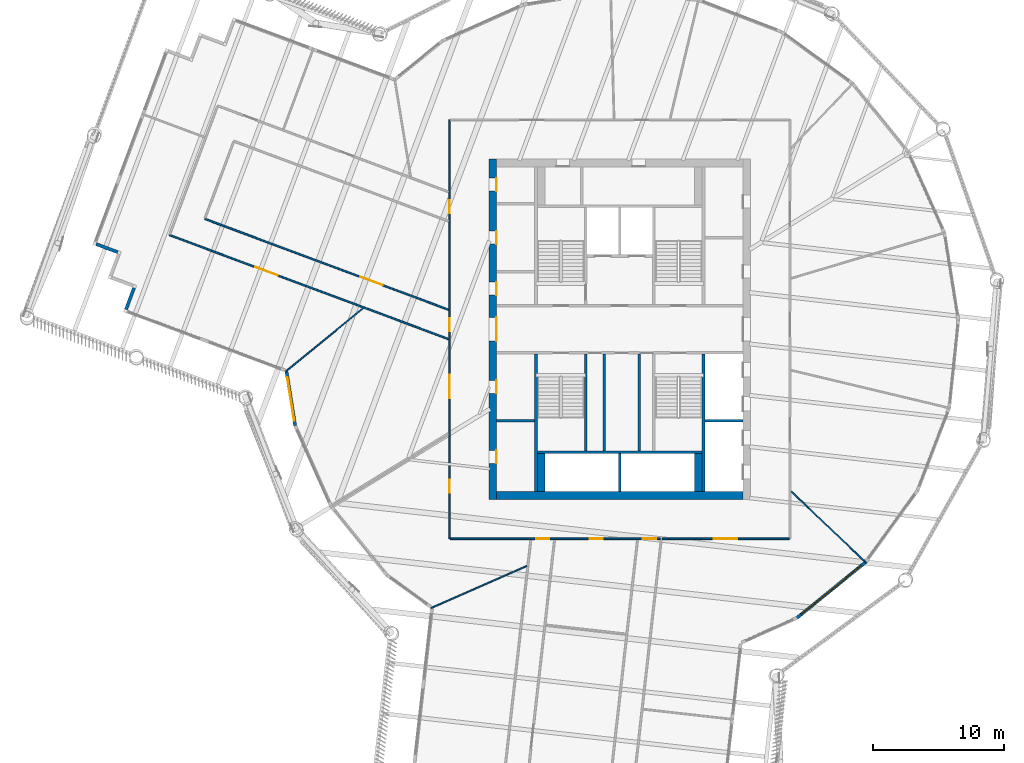
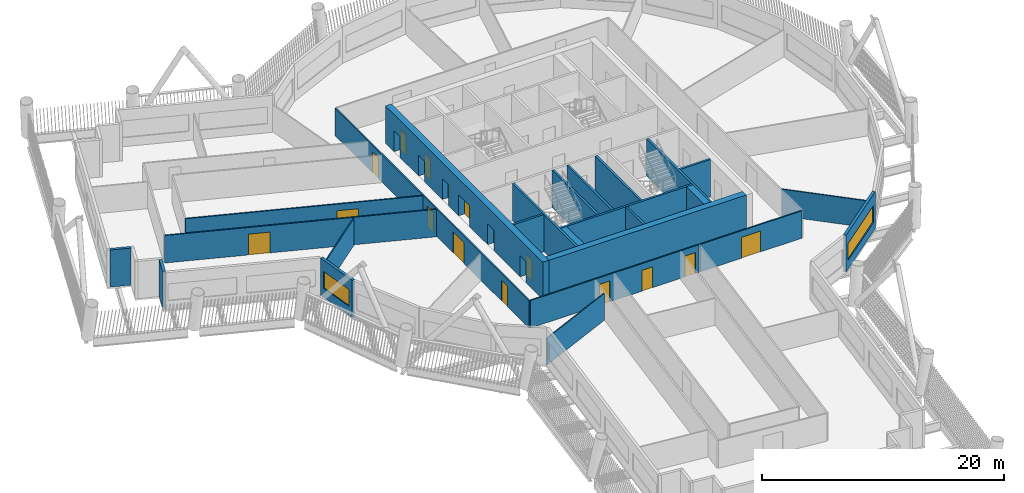
# One storey, part 4 of 22: 25 walls, 16 doors, 2 windows, 18 openings.
"""IFC4 building model written with IfcOpenShell, lengths in metres."""

from ifc_helpers import new_model, si_unit, direction, frame, frame_2d, origin, place, context, subcontext, project, spatial, rectangle, extrude, material, layer, layer_set, type_object, element, fill, save


model = new_model("IFC4")

# Units and contexts
model_context = context("Model", 3, precision=1e-05, world=origin(), true_north=direction((0.0, 1.0)))
body_context = subcontext(model_context, "Body", "Model", "MODEL_VIEW")
ifc_project = project(units=[si_unit("LENGTHUNIT", "METRE"), si_unit("AREAUNIT", "SQUARE_METRE"), si_unit("VOLUMEUNIT", "CUBIC_METRE"), si_unit("PLANEANGLEUNIT", "RADIAN"), si_unit("MASSUNIT", "GRAM", prefix="KILO")], contexts=[model_context])

# Site, building, storey
site_placement = place(None, origin())
site = spatial("IfcSite", under=ifc_project, at=site_placement, CompositionType="ELEMENT")
building_placement = place(site_placement, origin())
building = spatial("IfcBuilding", under=site, at=building_placement, Name="Tarsis Ring Headquarters", CompositionType="ELEMENT")
storey_placement = place(building_placement, frame((0.0, 0.0, 200.39990234375)))
storey = spatial("IfcBuildingStorey", under=building, at=storey_placement, Name="L46", CompositionType="ELEMENT", Elevation=200.39990234375)

# Walls
ifc_material_1 = material(Name="Blockwork", Category="masonry")
ifc_layer_1 = layer(ifc_material_1, 0.199951171875)
ifc_layer_set_1 = layer_set([ifc_layer_1], Name="Core blockwork wall 200")
wall_type_1 = type_object("IfcWallType", Name="Core blockwork wall 200", PredefinedType="PARTITIONING", material=ifc_layer_set_1)
wall_1_placement = place(storey_placement, frame((-9.39990234375, -7.0, 0.0), z_axis=(0.0, 0.0, 1.0), x_axis=(1.0, 0.0, 0.0)))
element("IfcWall", 1, at=wall_1_placement, inside=storey, type_object=wall_type_1, Name="Core partition WD2", PredefinedType="PARTITIONING", context=body_context, shape_type="SweptSolid", body=[
    extrude(rectangle(XDim=2.89990234375, YDim=0.199951171875, at=frame_2d((1.449951171875, 0.0))), origin(), (0.0, 0.0, 1.0), 3.739990234375),
])
for number, where, z_axis, x_axis, name in (
    (2, (-1.199951171875, -9.300048828125, 0.0), (0.0, 0.0, 1.0), (0.0, 1.0, 0.0), "Core partition SV1"),
    (3, (1.5, -9.300048828125, 0.0), (0.0, 0.0, 1.0), (0.0, 1.0, 0.0), "Core partition SV2"),
):
    element("IfcWall", number, at=place(storey_placement, frame(where, z_axis=z_axis, x_axis=x_axis)), inside=storey, type_object=wall_type_1, Name=name, PredefinedType="PARTITIONING", context=body_context, shape_type="SweptSolid", body=[
        extrude(rectangle(XDim=7.400146484375, YDim=0.199951171875, at=frame_2d((3.7001953125, 0.0))), origin(), (0.0, 0.0, 1.0), 3.739990234375),
    ])

# Wall, openings, doors
ifc_material_2 = material(Name="Concrete C50/60", Category="concrete")
ifc_layer_2 = layer(ifc_material_2, 0.60009765625)
ifc_layer_set_2 = layer_set([ifc_layer_2], Name="Core wall 600 C50/60")
wall_type_2 = type_object("IfcWallType", Name="Core wall 600 C50/60", PredefinedType="SHEAR", material=ifc_layer_set_2)
wall_2_placement = place(storey_placement, frame((-9.699951171875, -13.0, 0.0), z_axis=(0.0, 0.0, 1.0), x_axis=(0.0, 1.0, 0.0)))
wall_2 = element("IfcWall", 4, at=wall_2_placement, inside=storey, type_object=wall_type_2, Name="Core wall OW", PredefinedType="SHEAR", context=body_context, shape_type="SweptSolid", body=[
    extrude(rectangle(XDim=26.0, YDim=0.60009765625, at=frame_2d((13.0, 0.0))), origin(), (0.0, 0.0, 1.0), 3.739990234375),
])
opening_1_placement = place(wall_2_placement, frame((2.75, 0.0, 0.0)))
opening_1 = element("IfcOpeningElement", 5, at=opening_1_placement, cuts=wall_2, Name="Opening L46-C01", PredefinedType="OPENING", context=body_context, shape_type="SweptSolid", body=[
    extrude(rectangle(XDim=1.0, YDim=2.10009765625, at=frame_2d((0.5, 1.050048828125))), frame((0.0, 0.31005859375, 0.0), z_axis=(0.0, -1.0, 0.0), x_axis=(1.0, 0.0, 0.0)), (0.0, 0.0, 1.0), 0.6201171875),
])
opening_2_placement = place(wall_2_placement, frame((8.10009765625, 0.0, 0.0)))
opening_2 = element("IfcOpeningElement", 6, at=opening_2_placement, cuts=wall_2, Name="Opening L46-C02", PredefinedType="OPENING", context=body_context, shape_type="SweptSolid", body=[
    extrude(rectangle(XDim=1.0, YDim=2.10009765625, at=frame_2d((0.5, 1.050048828125))), frame((0.0, 0.31005859375, 0.0), z_axis=(0.0, -1.0, 0.0), x_axis=(1.0, 0.0, 0.0)), (0.0, 0.0, 1.0), 0.6201171875),
])
opening_3_placement = place(wall_2_placement, frame((12.10009765625, 0.0, 0.0)))
opening_3 = element("IfcOpeningElement", 7, at=opening_3_placement, cuts=wall_2, Name="Opening L46-C03", PredefinedType="OPENING", context=body_context, shape_type="SweptSolid", body=[
    extrude(rectangle(XDim=1.800048828125, YDim=2.10009765625, at=frame_2d((0.89990234375, 1.050048828125))), frame((0.0, 0.31005859375, 0.0), z_axis=(0.0, -1.0, 0.0), x_axis=(1.0, 0.0, 0.0)), (0.0, 0.0, 1.0), 0.6201171875),
])
opening_4_placement = place(wall_2_placement, frame((15.60009765625, 0.0, 0.0)))
opening_4 = element("IfcOpeningElement", 8, at=opening_4_placement, cuts=wall_2, Name="Opening L46-C04", PredefinedType="OPENING", context=body_context, shape_type="SweptSolid", body=[
    extrude(rectangle(XDim=1.0, YDim=2.10009765625, at=frame_2d((0.5, 1.050048828125))), frame((0.0, 0.31005859375, 0.0), z_axis=(0.0, -1.0, 0.0), x_axis=(1.0, 0.0, 0.0)), (0.0, 0.0, 1.0), 0.6201171875),
])
opening_5_placement = place(wall_2_placement, frame((19.5, 0.0, 0.0)))
opening_5 = element("IfcOpeningElement", 9, at=opening_5_placement, cuts=wall_2, Name="Opening L46-C05", PredefinedType="OPENING", context=body_context, shape_type="SweptSolid", body=[
    extrude(rectangle(XDim=1.0, YDim=2.10009765625, at=frame_2d((0.5, 1.050048828125))), frame((0.0, 0.31005859375, 0.0), z_axis=(0.0, -1.0, 0.0), x_axis=(1.0, 0.0, 0.0)), (0.0, 0.0, 1.0), 0.6201171875),
])
opening_6_placement = place(wall_2_placement, frame((23.550048828125, 0.0, 0.0)))
opening_6 = element("IfcOpeningElement", 10, at=opening_6_placement, cuts=wall_2, Name="Opening L46-C06", PredefinedType="OPENING", context=body_context, shape_type="SweptSolid", body=[
    extrude(rectangle(XDim=1.0, YDim=2.10009765625, at=frame_2d((0.5, 1.050048828125))), frame((0.0, 0.31005859375, 0.0), z_axis=(0.0, -1.0, 0.0), x_axis=(1.0, 0.0, 0.0)), (0.0, 0.0, 1.0), 0.6201171875),
])
ifc_material_3 = material(Name="Steel S355", Category="steel")
door_type_1 = type_object("IfcDoorType", Name="Core entry door 1800x2100", OperationType="DOUBLE_DOOR_SINGLE_SWING", PredefinedType="DOOR", material=ifc_material_3)
door_1_placement = place(opening_3_placement, origin())
door_1 = element("IfcDoor", 11, at=door_1_placement, inside=storey, type_object=door_type_1, Name="Core entry door L46", OperationType="DOUBLE_DOOR_SINGLE_SWING", OverallHeight=2.10009765625, OverallWidth=1.800048828125, PredefinedType="DOOR", context=body_context, shape_type="SweptSolid", body=[
    extrude(rectangle(XDim=1.800048828125, YDim=2.10009765625, at=frame_2d((0.89990234375, 1.050048828125))), frame((0.0, -0.25, 0.0), z_axis=(0.0, -1.0, 0.0), x_axis=(1.0, 0.0, 0.0)), (0.0, 0.0, 1.0), 0.050048828125),
])
fill(opening_3, door_1)
door_type_2 = type_object("IfcDoorType", Name="Core room door 1000x2100", OperationType="SINGLE_SWING_LEFT", PredefinedType="DOOR", material=ifc_material_3)
door_2_placement = place(opening_1_placement, origin())
door_2 = element("IfcDoor", 12, at=door_2_placement, inside=storey, type_object=door_type_2, Name="Core room door L46", OperationType="SINGLE_SWING_LEFT", OverallHeight=2.10009765625, OverallWidth=1.0, PredefinedType="DOOR", context=body_context, shape_type="SweptSolid", body=[
    extrude(rectangle(XDim=1.0, YDim=2.10009765625, at=frame_2d((0.5, 1.050048828125))), frame((0.0, -0.25, 0.0), z_axis=(0.0, -1.0, 0.0), x_axis=(1.0, 0.0, 0.0)), (0.0, 0.0, 1.0), 0.050048828125),
])
fill(opening_1, door_2)
door_3_placement = place(opening_2_placement, origin())
door_3 = element("IfcDoor", 13, at=door_3_placement, inside=storey, type_object=door_type_2, Name="Core room door L46", OperationType="SINGLE_SWING_LEFT", OverallHeight=2.10009765625, OverallWidth=1.0, PredefinedType="DOOR", context=body_context, shape_type="SweptSolid", body=[
    extrude(rectangle(XDim=1.0, YDim=2.10009765625, at=frame_2d((0.5, 1.050048828125))), frame((0.0, -0.25, 0.0), z_axis=(0.0, -1.0, 0.0), x_axis=(1.0, 0.0, 0.0)), (0.0, 0.0, 1.0), 0.050048828125),
])
fill(opening_2, door_3)
door_4_placement = place(opening_4_placement, origin())
door_4 = element("IfcDoor", 14, at=door_4_placement, inside=storey, type_object=door_type_2, Name="Core room door L46", OperationType="SINGLE_SWING_LEFT", OverallHeight=2.10009765625, OverallWidth=1.0, PredefinedType="DOOR", context=body_context, shape_type="SweptSolid", body=[
    extrude(rectangle(XDim=1.0, YDim=2.10009765625, at=frame_2d((0.5, 1.050048828125))), frame((0.0, -0.25, 0.0), z_axis=(0.0, -1.0, 0.0), x_axis=(1.0, 0.0, 0.0)), (0.0, 0.0, 1.0), 0.050048828125),
])
fill(opening_4, door_4)
door_5_placement = place(opening_5_placement, origin())
door_5 = element("IfcDoor", 15, at=door_5_placement, inside=storey, type_object=door_type_2, Name="Core room door L46", OperationType="SINGLE_SWING_LEFT", OverallHeight=2.10009765625, OverallWidth=1.0, PredefinedType="DOOR", context=body_context, shape_type="SweptSolid", body=[
    extrude(rectangle(XDim=1.0, YDim=2.10009765625, at=frame_2d((0.5, 1.050048828125))), frame((0.0, -0.25, 0.0), z_axis=(0.0, -1.0, 0.0), x_axis=(1.0, 0.0, 0.0)), (0.0, 0.0, 1.0), 0.050048828125),
])
fill(opening_5, door_5)
door_6_placement = place(opening_6_placement, origin())
door_6 = element("IfcDoor", 16, at=door_6_placement, inside=storey, type_object=door_type_2, Name="Core room door L46", OperationType="SINGLE_SWING_LEFT", OverallHeight=2.10009765625, OverallWidth=1.0, PredefinedType="DOOR", context=body_context, shape_type="SweptSolid", body=[
    extrude(rectangle(XDim=1.0, YDim=2.10009765625, at=frame_2d((0.5, 1.050048828125))), frame((0.0, -0.25, 0.0), z_axis=(0.0, -1.0, 0.0), x_axis=(1.0, 0.0, 0.0)), (0.0, 0.0, 1.0), 0.050048828125),
])
fill(opening_6, door_6)

# Walls
wall_3_placement = place(storey_placement, frame((-9.39990234375, -12.699951171875, 0.0), z_axis=(0.0, 0.0, 1.0), x_axis=(1.0, 0.0, 0.0)))
element("IfcWall", 17, at=wall_3_placement, inside=storey, type_object=wall_type_2, Name="Core wall OS", PredefinedType="SHEAR", context=body_context, shape_type="SweptSolid", body=[
    extrude(rectangle(XDim=18.7998046875, YDim=0.60009765625, at=frame_2d((9.39990234375, 0.0))), origin(), (0.0, 0.0, 1.0), 3.739990234375),
])
ifc_material_4 = material(Name="Gypsum board on steel studs", Category="steel")
ifc_layer_3 = layer(ifc_material_4, 0.10009765625)
ifc_layer_set_3 = layer_set([ifc_layer_3], Name="FL partition 100 unrated")
wall_type_3 = type_object("IfcWallType", Name="FL partition 100 unrated", PredefinedType="PARTITIONING", material=ifc_layer_set_3)
wall_4_placement = place(storey_placement, frame((-14.40478515625, -21.2978515625, 0.0), z_axis=(0.0, 0.0, 1.0), x_axis=(0.914895540807, 0.403690660545, 0.0)))
element("IfcWall", 18, at=wall_4_placement, inside=storey, type_object=wall_type_3, Name="Partition PW3", PredefinedType="PARTITIONING", context=body_context, shape_type="SweptSolid", body=[
    extrude(rectangle(XDim=7.981689453125, YDim=0.10009765625, at=frame_2d((3.99072265625, 0.0))), origin(), (0.0, 0.0, 1.0), 2.7001953125),
])
wall_5_placement = place(storey_placement, frame((13.087158203125, -12.393310546875, 0.0), z_axis=(0.0, 0.0, 1.0), x_axis=(0.726101641157, -0.687587381145, 0.0)))
element("IfcWall", 19, at=wall_5_placement, inside=storey, type_object=wall_type_3, Name="Partition PW3", PredefinedType="PARTITIONING", context=body_context, shape_type="SweptSolid", body=[
    extrude(rectangle(XDim=7.923828125, YDim=0.10009765625, at=frame_2d((3.9619140625, 0.0))), origin(), (0.0, 0.0, 1.0), 2.7001953125),
])
wall_6_placement = place(storey_placement, frame((-25.509521484375, -3.218994140625, 0.0), z_axis=(0.0, 0.0, 1.0), x_axis=(0.773740025327, 0.633503254299, 0.0)))
element("IfcWall", 20, at=wall_6_placement, inside=storey, type_object=wall_type_3, Name="Partition PW3", PredefinedType="PARTITIONING", context=body_context, shape_type="SweptSolid", body=[
    extrude(rectangle(XDim=7.611328125, YDim=0.10009765625, at=frame_2d((3.8056640625, 0.0))), origin(), (0.0, 0.0, 1.0), 2.7001953125),
])

# Wall, openings, doors
ifc_layer_4 = layer(ifc_material_4, 0.125)
ifc_layer_set_4 = layer_set([ifc_layer_4], Name="FL partition 125 EI 60 H2770")
wall_type_4 = type_object("IfcWallType", Name="FL partition 125 EI 60 H2770", PredefinedType="PARTITIONING", material=ifc_layer_set_4)
wall_7_placement = place(storey_placement, frame((-13.0, -16.0, 0.0), z_axis=(0.0, 0.0, 1.0), x_axis=(0.0, 1.0, 0.0)))
wall_7 = element("IfcWall", 21, at=wall_7_placement, inside=storey, type_object=wall_type_4, Name="Partition PW1", PredefinedType="PARTITIONING", context=body_context, shape_type="SweptSolid", body=[
    extrude(rectangle(XDim=32.0, YDim=0.125, at=frame_2d((16.0, 0.0))), origin(), (0.0, 0.0, 1.0), 2.77001953125),
])
opening_7_placement = place(wall_7_placement, frame((3.50732421875, 0.0, 0.0)))
opening_7 = element("IfcOpeningElement", 22, at=opening_7_placement, cuts=wall_7, Name="Opening D46.12", PredefinedType="OPENING", context=body_context, shape_type="SweptSolid", body=[
    extrude(rectangle(XDim=1.0, YDim=2.10009765625, at=frame_2d((0.5, 1.050048828125))), frame((0.0, 0.072509765625, 0.0), z_axis=(0.0, -1.0, 0.0), x_axis=(1.0, 0.0, 0.0)), (0.0, 0.0, 1.0), 0.14501953125),
])
opening_8_placement = place(wall_7_placement, frame((10.718017578125, 0.0, 0.0)))
opening_8 = element("IfcOpeningElement", 23, at=opening_8_placement, cuts=wall_7, Name="Opening D46.13", PredefinedType="OPENING", context=body_context, shape_type="SweptSolid", body=[
    extrude(rectangle(XDim=1.800048828125, YDim=2.10009765625, at=frame_2d((0.89990234375, 1.050048828125))), frame((0.0, 0.072509765625, 0.0), z_axis=(0.0, -1.0, 0.0), x_axis=(1.0, 0.0, 0.0)), (0.0, 0.0, 1.0), 0.14501953125),
])
opening_9_placement = place(wall_7_placement, frame((15.84130859375, 0.0, 0.0)))
opening_9 = element("IfcOpeningElement", 24, at=opening_9_placement, cuts=wall_7, Name="Opening D46.19", PredefinedType="OPENING", context=body_context, shape_type="SweptSolid", body=[
    extrude(rectangle(XDim=1.0, YDim=2.10009765625, at=frame_2d((0.5, 1.050048828125))), frame((0.0, 0.072509765625, 0.0), z_axis=(0.0, -1.0, 0.0), x_axis=(1.0, 0.0, 0.0)), (0.0, 0.0, 1.0), 0.14501953125),
])
opening_10_placement = place(wall_7_placement, frame((24.848388671875, 0.0, 0.0)))
opening_10 = element("IfcOpeningElement", 25, at=opening_10_placement, cuts=wall_7, Name="Opening D46.20", PredefinedType="OPENING", context=body_context, shape_type="SweptSolid", body=[
    extrude(rectangle(XDim=1.0, YDim=2.10009765625, at=frame_2d((0.5, 1.050048828125))), frame((0.0, 0.072509765625, 0.0), z_axis=(0.0, -1.0, 0.0), x_axis=(1.0, 0.0, 0.0)), (0.0, 0.0, 1.0), 0.14501953125),
])
ifc_material_5 = material(Name="Fire-rated timber door leaf in steel frame", Category="steel")
door_type_3 = type_object("IfcDoorType", Name="FL door FD60-1000", OperationType="NOTDEFINED", PredefinedType="DOOR", material=ifc_material_5)
door_7_placement = place(opening_7_placement, origin())
door_7 = element("IfcDoor", 26, at=door_7_placement, inside=storey, type_object=door_type_3, Name="Door D46.12", OperationType="SINGLE_SWING_RIGHT", OverallHeight=2.10009765625, OverallWidth=1.0, PredefinedType="DOOR", context=body_context, shape_type="SweptSolid", body=[
    extrude(rectangle(XDim=1.0, YDim=2.10009765625, at=frame_2d((0.5, 1.050048828125))), frame((0.0, 0.02490234375, 0.0), z_axis=(0.0, -1.0, 0.0), x_axis=(1.0, 0.0, 0.0)), (0.0, 0.0, 1.0), 0.050048828125),
])
fill(opening_7, door_7)
door_8_placement = place(opening_9_placement, origin())
door_8 = element("IfcDoor", 27, at=door_8_placement, inside=storey, type_object=door_type_3, Name="Door D46.19", OperationType="SINGLE_SWING_LEFT", OverallHeight=2.10009765625, OverallWidth=1.0, PredefinedType="DOOR", context=body_context, shape_type="SweptSolid", body=[
    extrude(rectangle(XDim=1.0, YDim=2.10009765625, at=frame_2d((0.5, 1.050048828125))), frame((0.0, 0.02490234375, 0.0), z_axis=(0.0, -1.0, 0.0), x_axis=(1.0, 0.0, 0.0)), (0.0, 0.0, 1.0), 0.050048828125),
])
fill(opening_9, door_8)
door_9_placement = place(opening_10_placement, origin())
door_9 = element("IfcDoor", 28, at=door_9_placement, inside=storey, type_object=door_type_3, Name="Door D46.20", OperationType="SINGLE_SWING_RIGHT", OverallHeight=2.10009765625, OverallWidth=1.0, PredefinedType="DOOR", context=body_context, shape_type="SweptSolid", body=[
    extrude(rectangle(XDim=1.0, YDim=2.10009765625, at=frame_2d((0.5, 1.050048828125))), frame((0.0, 0.02490234375, 0.0), z_axis=(0.0, -1.0, 0.0), x_axis=(1.0, 0.0, 0.0)), (0.0, 0.0, 1.0), 0.050048828125),
])
fill(opening_10, door_9)
door_type_4 = type_object("IfcDoorType", Name="FL door FD60-1800", OperationType="DOUBLE_DOOR_SINGLE_SWING", PredefinedType="DOOR", material=ifc_material_5)
door_10_placement = place(opening_8_placement, origin())
door_10 = element("IfcDoor", 29, at=door_10_placement, inside=storey, type_object=door_type_4, Name="Door D46.13", OperationType="DOUBLE_DOOR_SINGLE_SWING", OverallHeight=2.10009765625, OverallWidth=1.800048828125, PredefinedType="DOOR", context=body_context, shape_type="SweptSolid", body=[
    extrude(rectangle(XDim=1.800048828125, YDim=2.10009765625, at=frame_2d((0.89990234375, 1.050048828125))), frame((0.0, 0.02490234375, 0.0), z_axis=(0.0, -1.0, 0.0), x_axis=(1.0, 0.0, 0.0)), (0.0, 0.0, 1.0), 0.050048828125),
])
fill(opening_8, door_10)

wall_8_placement = place(storey_placement, frame((-12.93994140625, -16.0, 0.0), z_axis=(0.0, 0.0, 1.0), x_axis=(1.0, 0.0, 0.0)))
wall_8 = element("IfcWall", 30, at=wall_8_placement, inside=storey, type_object=wall_type_4, Name="Partition PW1", PredefinedType="PARTITIONING", context=body_context, shape_type="SweptSolid", body=[
    extrude(rectangle(XDim=16.04541015625, YDim=0.125, at=frame_2d((8.022705078125, 0.0))), origin(), (0.0, 0.0, 1.0), 2.77001953125),
])
opening_11_placement = place(wall_8_placement, frame((10.634033203125, 0.0, 0.0)))
opening_11 = element("IfcOpeningElement", 31, at=opening_11_placement, cuts=wall_8, Name="Opening D46.15", PredefinedType="OPENING", context=body_context, shape_type="SweptSolid", body=[
    extrude(rectangle(XDim=1.0, YDim=2.10009765625, at=frame_2d((0.5, 1.050048828125))), frame((0.0, 0.072509765625, 0.0), z_axis=(0.0, -1.0, 0.0), x_axis=(1.0, 0.0, 0.0)), (0.0, 0.0, 1.0), 0.14501953125),
])
opening_12_placement = place(wall_8_placement, frame((6.558349609375, 0.0, 0.0)))
opening_12 = element("IfcOpeningElement", 32, at=opening_12_placement, cuts=wall_8, Name="Opening D46.17", PredefinedType="OPENING", context=body_context, shape_type="SweptSolid", body=[
    extrude(rectangle(XDim=1.0, YDim=2.10009765625, at=frame_2d((0.5, 1.050048828125))), frame((0.0, 0.072509765625, 0.0), z_axis=(0.0, -1.0, 0.0), x_axis=(1.0, 0.0, 0.0)), (0.0, 0.0, 1.0), 0.14501953125),
])
opening_13_placement = place(wall_8_placement, frame((14.709716796875, 0.0, 0.0)))
opening_13 = element("IfcOpeningElement", 33, at=opening_13_placement, cuts=wall_8, Name="Opening D46.18", PredefinedType="OPENING", context=body_context, shape_type="SweptSolid", body=[
    extrude(rectangle(XDim=1.0, YDim=2.10009765625, at=frame_2d((0.5, 1.050048828125))), frame((0.0, 0.072509765625, 0.0), z_axis=(0.0, -1.0, 0.0), x_axis=(1.0, 0.0, 0.0)), (0.0, 0.0, 1.0), 0.14501953125),
])
door_11_placement = place(opening_11_placement, origin())
door_11 = element("IfcDoor", 34, at=door_11_placement, inside=storey, type_object=door_type_3, Name="Door D46.15", OperationType="SINGLE_SWING_LEFT", OverallHeight=2.10009765625, OverallWidth=1.0, PredefinedType="DOOR", context=body_context, shape_type="SweptSolid", body=[
    extrude(rectangle(XDim=1.0, YDim=2.10009765625, at=frame_2d((0.5, 1.050048828125))), frame((0.0, 0.02490234375, 0.0), z_axis=(0.0, -1.0, 0.0), x_axis=(1.0, 0.0, 0.0)), (0.0, 0.0, 1.0), 0.050048828125),
])
fill(opening_11, door_11)
door_12_placement = place(opening_12_placement, origin())
door_12 = element("IfcDoor", 35, at=door_12_placement, inside=storey, type_object=door_type_3, Name="Door D46.17", OperationType="SINGLE_SWING_LEFT", OverallHeight=2.10009765625, OverallWidth=1.0, PredefinedType="DOOR", context=body_context, shape_type="SweptSolid", body=[
    extrude(rectangle(XDim=1.0, YDim=2.10009765625, at=frame_2d((0.5, 1.050048828125))), frame((0.0, 0.02490234375, 0.0), z_axis=(0.0, -1.0, 0.0), x_axis=(1.0, 0.0, 0.0)), (0.0, 0.0, 1.0), 0.050048828125),
])
fill(opening_12, door_12)
door_13_placement = place(opening_13_placement, origin())
door_13 = element("IfcDoor", 36, at=door_13_placement, inside=storey, type_object=door_type_3, Name="Door D46.18", OperationType="SINGLE_SWING_RIGHT", OverallHeight=2.10009765625, OverallWidth=1.0, PredefinedType="DOOR", context=body_context, shape_type="SweptSolid", body=[
    extrude(rectangle(XDim=1.0, YDim=2.10009765625, at=frame_2d((0.5, 1.050048828125))), frame((0.0, 0.02490234375, 0.0), z_axis=(0.0, -1.0, 0.0), x_axis=(1.0, 0.0, 0.0)), (0.0, 0.0, 1.0), 0.050048828125),
])
fill(opening_13, door_13)

# Wall, opening, door
wall_9_placement = place(storey_placement, frame((3.237548828125, -16.0, 0.0), z_axis=(0.0, 0.0, 1.0), x_axis=(1.0, 0.0, 0.0)))
wall_9 = element("IfcWall", 37, at=wall_9_placement, inside=storey, type_object=wall_type_4, Name="Partition PW1", PredefinedType="PARTITIONING", context=body_context, shape_type="SweptSolid", body=[
    extrude(rectangle(XDim=9.702392578125, YDim=0.125, at=frame_2d((4.85107421875, 0.0))), origin(), (0.0, 0.0, 1.0), 2.77001953125),
])
opening_14_placement = place(wall_9_placement, frame((3.9501953125, 0.0, 0.0)))
opening_14 = element("IfcOpeningElement", 38, at=opening_14_placement, cuts=wall_9, Name="Opening D46.10", PredefinedType="OPENING", context=body_context, shape_type="SweptSolid", body=[
    extrude(rectangle(XDim=1.800048828125, YDim=2.10009765625, at=frame_2d((0.89990234375, 1.050048828125))), frame((0.0, 0.072509765625, 0.0), z_axis=(0.0, -1.0, 0.0), x_axis=(1.0, 0.0, 0.0)), (0.0, 0.0, 1.0), 0.14501953125),
])
door_14_placement = place(opening_14_placement, origin())
door_14 = element("IfcDoor", 39, at=door_14_placement, inside=storey, type_object=door_type_4, Name="Door D46.10", OperationType="DOUBLE_DOOR_SINGLE_SWING", OverallHeight=2.10009765625, OverallWidth=1.800048828125, PredefinedType="DOOR", context=body_context, shape_type="SweptSolid", body=[
    extrude(rectangle(XDim=1.800048828125, YDim=2.10009765625, at=frame_2d((0.89990234375, 1.050048828125))), frame((0.0, 0.02490234375, 0.0), z_axis=(0.0, -1.0, 0.0), x_axis=(1.0, 0.0, 0.0)), (0.0, 0.0, 1.0), 0.050048828125),
])
fill(opening_14, door_14)

wall_10_placement = place(storey_placement, frame((-34.402587890625, 7.197509765625, 0.0), z_axis=(0.0, 0.0, 1.0), x_axis=(0.937036970651, -0.349230175719, 0.0)))
wall_10 = element("IfcWall", 40, at=wall_10_placement, inside=storey, type_object=wall_type_4, Name="Partition PW1", PredefinedType="PARTITIONING", context=body_context, shape_type="SweptSolid", body=[
    extrude(rectangle(XDim=22.7607421875, YDim=0.125, at=frame_2d((11.38037109375, 0.0))), origin(), (0.0, 0.0, 1.0), 2.77001953125),
])
opening_15_placement = place(wall_10_placement, frame((7.0234375, 0.0, 0.0)))
opening_15 = element("IfcOpeningElement", 41, at=opening_15_placement, cuts=wall_10, Name="Opening D46.01", PredefinedType="OPENING", context=body_context, shape_type="SweptSolid", body=[
    extrude(rectangle(XDim=1.800048828125, YDim=2.10009765625, at=frame_2d((0.89990234375, 1.050048828125))), frame((0.0, 0.072509765625, 0.0), z_axis=(0.0, -1.0, 0.0), x_axis=(1.0, 0.0, 0.0)), (0.0, 0.0, 1.0), 0.14501953125),
])
door_15_placement = place(opening_15_placement, origin())
door_15 = element("IfcDoor", 42, at=door_15_placement, inside=storey, type_object=door_type_4, Name="Door D46.01", OperationType="DOUBLE_DOOR_SINGLE_SWING", OverallHeight=2.10009765625, OverallWidth=1.800048828125, PredefinedType="DOOR", context=body_context, shape_type="SweptSolid", body=[
    extrude(rectangle(XDim=1.800048828125, YDim=2.10009765625, at=frame_2d((0.89990234375, 1.050048828125))), frame((0.0, 0.02490234375, 0.0), z_axis=(0.0, -1.0, 0.0), x_axis=(1.0, 0.0, 0.0)), (0.0, 0.0, 1.0), 0.050048828125),
])
fill(opening_15, door_15)

wall_11_placement = place(storey_placement, frame((-31.701416015625, 8.431884765625, 0.0), z_axis=(0.0, 0.0, 1.0), x_axis=(0.937038934257, -0.349224907026, 0.0)))
wall_11 = element("IfcWall", 43, at=wall_11_placement, inside=storey, type_object=wall_type_4, Name="Partition PW1", PredefinedType="PARTITIONING", context=body_context, shape_type="SweptSolid", body=[
    extrude(rectangle(XDim=19.8779296875, YDim=0.125, at=frame_2d((9.93896484375, 0.0))), origin(), (0.0, 0.0, 1.0), 2.77001953125),
])
opening_16_placement = place(wall_11_placement, frame((12.697265625, 0.0, 0.0)))
opening_16 = element("IfcOpeningElement", 44, at=opening_16_placement, cuts=wall_11, Name="Opening D46.14", PredefinedType="OPENING", context=body_context, shape_type="SweptSolid", body=[
    extrude(rectangle(XDim=1.800048828125, YDim=2.10009765625, at=frame_2d((0.89990234375, 1.050048828125))), frame((0.0, 0.072509765625, 0.0), z_axis=(0.0, -1.0, 0.0), x_axis=(1.0, 0.0, 0.0)), (0.0, 0.0, 1.0), 0.14501953125),
])
door_16_placement = place(opening_16_placement, origin())
door_16 = element("IfcDoor", 45, at=door_16_placement, inside=storey, type_object=door_type_4, Name="Door D46.14", OperationType="DOUBLE_DOOR_SINGLE_SWING", OverallHeight=2.10009765625, OverallWidth=1.800048828125, PredefinedType="DOOR", context=body_context, shape_type="SweptSolid", body=[
    extrude(rectangle(XDim=1.800048828125, YDim=2.10009765625, at=frame_2d((0.89990234375, 1.050048828125))), frame((0.0, 0.02490234375, 0.0), z_axis=(0.0, -1.0, 0.0), x_axis=(1.0, 0.0, 0.0)), (0.0, 0.0, 1.0), 0.050048828125),
])
fill(opening_16, door_16)

# Wall, opening, window
ifc_material_6 = material(Name="Terracotta clad insulated panel wall", Category="masonry")
ifc_layer_5 = layer(ifc_material_6, 0.25)
ifc_layer_set_5 = layer_set([ifc_layer_5], Name="Facade wall terracotta panel 250")
wall_type_5 = type_object("IfcWallType", Name="Facade wall terracotta panel 250", PredefinedType="STANDARD", material=ifc_layer_set_5)
wall_12_placement = place(storey_placement, frame((-25.4580078125, -3.252685546875, 0.0), z_axis=(0.0, 0.0, 1.0), x_axis=(0.157491210281, -0.987520388997, 0.0)))
wall_12 = element("IfcWall", 46, at=wall_12_placement, inside=storey, type_object=wall_type_5, Name="External wall L46-02", PredefinedType="STANDARD", context=body_context, shape_type="SweptSolid", body=[
    extrude(rectangle(XDim=4.15771484375, YDim=0.25, at=frame_2d((2.078857421875, 0.0))), origin(), (0.0, 0.0, 1.0), 3.739990234375),
])
opening_17_placement = place(wall_12_placement, frame((0.420166015625, 0.0, 0.89990234375)))
opening_17 = element("IfcOpeningElement", 47, at=opening_17_placement, cuts=wall_12, Name="Opening WN01", PredefinedType="OPENING", context=body_context, shape_type="SweptSolid", body=[
    extrude(rectangle(XDim=3.35009765625, YDim=1.699951171875, at=frame_2d((1.675048828125, 0.85009765625))), frame((0.0, 0.135009765625, 0.0), z_axis=(0.0, -1.0, 0.0), x_axis=(1.0, 0.0, 0.0)), (0.0, 0.0, 1.0), 0.27001953125),
])
ifc_material_7 = material(Name="Aluminium framed double glazing", Category="aluminium")
window_type_1 = type_object("IfcWindowType", Name="Facade window 3350 x 1700", PartitioningType="SINGLE_PANEL", PredefinedType="WINDOW", material=ifc_material_7)
window_1_placement = place(opening_17_placement, origin())
window_1 = element("IfcWindow", 48, at=window_1_placement, inside=storey, type_object=window_type_1, Name="Window L46-02.1", OverallHeight=1.699951171875, OverallWidth=3.35009765625, PartitioningType="SINGLE_PANEL", PredefinedType="WINDOW", context=body_context, shape_type="SweptSolid", body=[
    extrude(rectangle(XDim=3.35009765625, YDim=1.699951171875, at=frame_2d((1.675048828125, 0.85009765625))), frame((0.0, 0.030029296875, 0.0), z_axis=(0.0, -1.0, 0.0), x_axis=(1.0, 0.0, 0.0)), (0.0, 0.0, 1.0), 0.06005859375),
])
fill(opening_17, window_1)

wall_13_placement = place(storey_placement, frame((13.554931640625, -22.03662109375, 0.0), z_axis=(0.0, 0.0, 1.0), x_axis=(0.776480502184, 0.630141277594, 0.0)))
wall_13 = element("IfcWall", 49, at=wall_13_placement, inside=storey, type_object=wall_type_5, Name="External wall L46-18", PredefinedType="STANDARD", context=body_context, shape_type="SweptSolid", body=[
    extrude(rectangle(XDim=6.7216796875, YDim=0.25, at=frame_2d((3.36083984375, 0.0))), origin(), (0.0, 0.0, 1.0), 3.739990234375),
])
opening_18_placement = place(wall_13_placement, frame((0.3857421875, 0.0, 0.89990234375)))
opening_18 = element("IfcOpeningElement", 50, at=opening_18_placement, cuts=wall_13, Name="Opening WN07", PredefinedType="OPENING", context=body_context, shape_type="SweptSolid", body=[
    extrude(rectangle(XDim=5.949951171875, YDim=1.699951171875, at=frame_2d((2.97509765625, 0.85009765625))), frame((0.0, 0.135009765625, 0.0), z_axis=(0.0, -1.0, 0.0), x_axis=(1.0, 0.0, 0.0)), (0.0, 0.0, 1.0), 0.27001953125),
])
window_type_2 = type_object("IfcWindowType", Name="Facade window 5950 x 1700", PartitioningType="SINGLE_PANEL", PredefinedType="WINDOW", material=ifc_material_7)
window_2_placement = place(opening_18_placement, origin())
window_2 = element("IfcWindow", 51, at=window_2_placement, inside=storey, type_object=window_type_2, Name="Window L46-18.1", OverallHeight=1.699951171875, OverallWidth=5.949951171875, PartitioningType="SINGLE_PANEL", PredefinedType="WINDOW", context=body_context, shape_type="SweptSolid", body=[
    extrude(rectangle(XDim=5.949951171875, YDim=1.699951171875, at=frame_2d((2.97509765625, 0.85009765625))), frame((0.0, 0.030029296875, 0.0), z_axis=(0.0, -1.0, 0.0), x_axis=(1.0, 0.0, 0.0)), (0.0, 0.0, 1.0), 0.06005859375),
])
fill(opening_18, window_2)

# Walls
wall_14_placement = place(storey_placement, frame((-39.997314453125, 6.502685546875, 0.0), z_axis=(0.0, 0.0, 1.0), x_axis=(0.936992590023, -0.349349232492, 0.0)))
element("IfcWall", 52, at=wall_14_placement, inside=storey, type_object=wall_type_5, Name="External wall L46-37", PredefinedType="STANDARD", context=body_context, shape_type="SweptSolid", body=[
    extrude(rectangle(XDim=1.75, YDim=0.25, at=frame_2d((0.875, 0.0))), origin(), (0.0, 0.0, 1.0), 3.739990234375),
])
wall_15_placement = place(storey_placement, frame((-37.1083984375, 3.158203125, 0.0), z_axis=(0.0, 0.0, 1.0), x_axis=(-0.349303569055, -0.937009613956, 0.0)))
element("IfcWall", 53, at=wall_15_placement, inside=storey, type_object=wall_type_5, Name="External wall L46-40", PredefinedType="STANDARD", context=body_context, shape_type="SweptSolid", body=[
    extrude(rectangle(XDim=1.750244140625, YDim=0.25, at=frame_2d((0.875, 0.0))), origin(), (0.0, 0.0, 1.0), 3.739990234375),
])
ifc_material_8 = material(Name="Concrete C32/40", Category="concrete")
ifc_layer_6 = layer(ifc_material_8, 0.60009765625)
ifc_layer_set_6 = layer_set([ifc_layer_6], Name="Shaft end wall 600 C32/40")
wall_type_6 = type_object("IfcWallType", Name="Shaft end wall 600 C32/40", PredefinedType="SOLIDWALL", material=ifc_layer_set_6)
for number, where, z_axis, x_axis, name in (
    (54, (-6.0, -12.39990234375, 0.0), (0.0, 0.0, 1.0), (0.0, 1.0, 0.0), "Core shaft wall SNE1"),
    (55, (6.0, -12.39990234375, 0.0), (0.0, 0.0, 1.0), (0.0, 1.0, 0.0), "Core shaft wall SNE2"),
):
    element("IfcWall", number, at=place(storey_placement, frame(where, z_axis=z_axis, x_axis=x_axis)), inside=storey, type_object=wall_type_6, Name=name, PredefinedType="SOLIDWALL", context=body_context, shape_type="SweptSolid", body=[
        extrude(rectangle(XDim=2.89990234375, YDim=0.60009765625, at=frame_2d((1.449951171875, 0.0))), origin(), (0.0, 0.0, 1.0), 3.739990234375),
    ])
ifc_layer_7 = layer(ifc_material_8, 0.199951171875)
ifc_layer_set_7 = layer_set([ifc_layer_7], Name="Shaft wall 200 C32/40")
wall_type_7 = type_object("IfcWallType", Name="Shaft wall 200 C32/40", PredefinedType="SOLIDWALL", material=ifc_layer_set_7)
for number, where, z_axis, x_axis, name in (
    (56, (-6.39990234375, -12.39990234375, 0.0), (0.0, 0.0, 1.0), (0.0, 1.0, 0.0), "Core shaft wall WB1"),
    (57, (6.39990234375, -12.39990234375, 0.0), (0.0, 0.0, 1.0), (0.0, 1.0, 0.0), "Core shaft wall EB1"),
):
    element("IfcWall", number, at=place(storey_placement, frame(where, z_axis=z_axis, x_axis=x_axis)), inside=storey, type_object=wall_type_7, Name=name, PredefinedType="SOLIDWALL", context=body_context, shape_type="SweptSolid", body=[
        extrude(rectangle(XDim=10.5, YDim=0.199951171875, at=frame_2d((5.25, 0.0))), origin(), (0.0, 0.0, 1.0), 3.739990234375),
    ])
wall_16_placement = place(storey_placement, frame((-6.300048828125, -9.39990234375, 0.0), z_axis=(0.0, 0.0, 1.0), x_axis=(1.0, 0.0, 0.0)))
element("IfcWall", 58, at=wall_16_placement, inside=storey, type_object=wall_type_7, Name="Core shaft wall SB", PredefinedType="SOLIDWALL", context=body_context, shape_type="SweptSolid", body=[
    extrude(rectangle(XDim=12.60009765625, YDim=0.199951171875, at=frame_2d((6.300048828125, 0.0))), origin(), (0.0, 0.0, 1.0), 3.739990234375),
])
wall_17_placement = place(storey_placement, frame((-2.60009765625, -9.300048828125, 0.0), z_axis=(0.0, 0.0, 1.0), x_axis=(0.0, 1.0, 0.0)))
element("IfcWall", 59, at=wall_17_placement, inside=storey, type_object=wall_type_7, Name="Core shaft wall SW3", PredefinedType="SOLIDWALL", context=body_context, shape_type="SweptSolid", body=[
    extrude(rectangle(XDim=7.400146484375, YDim=0.199951171875, at=frame_2d((3.7001953125, 0.0))), origin(), (0.0, 0.0, 1.0), 3.739990234375),
])
for number, where, z_axis, x_axis, name in (
    (60, (6.5, -7.0, 0.0), (0.0, 0.0, 1.0), (1.0, 0.0, 0.0), "Core shaft wall ED2"),
    (61, (0.0, -12.39990234375, 0.0), (0.0, 0.0, 1.0), (0.0, 1.0, 0.0), "Core shaft wall SD2"),
):
    element("IfcWall", number, at=place(storey_placement, frame(where, z_axis=z_axis, x_axis=x_axis)), inside=storey, type_object=wall_type_7, Name=name, PredefinedType="SOLIDWALL", context=body_context, shape_type="SweptSolid", body=[
        extrude(rectangle(XDim=2.89990234375, YDim=0.199951171875, at=frame_2d((1.449951171875, 0.0))), origin(), (0.0, 0.0, 1.0), 3.739990234375),
    ])

save(model, "model.ifc")
